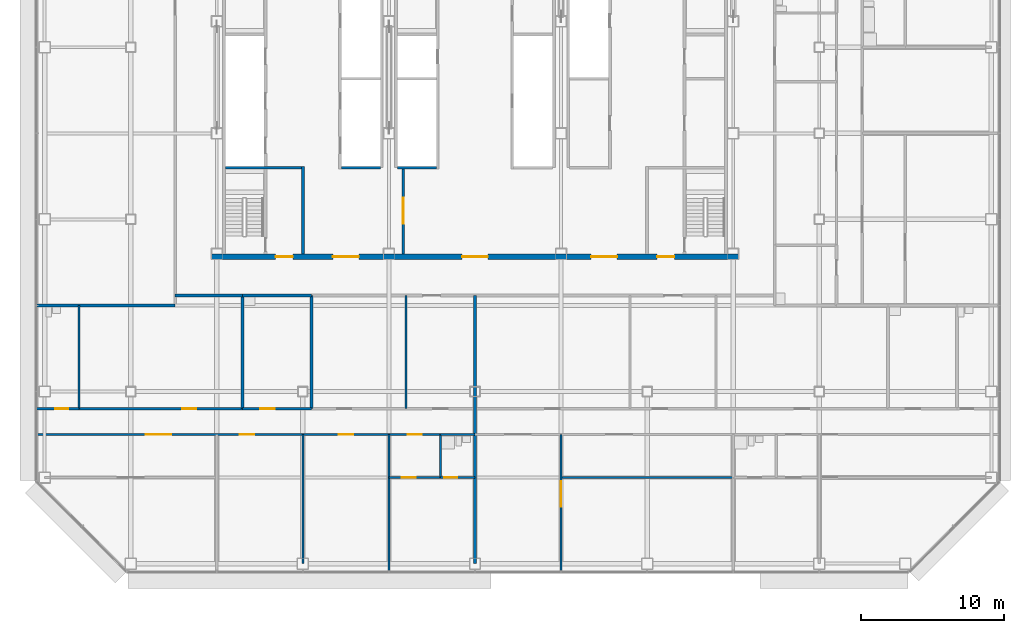
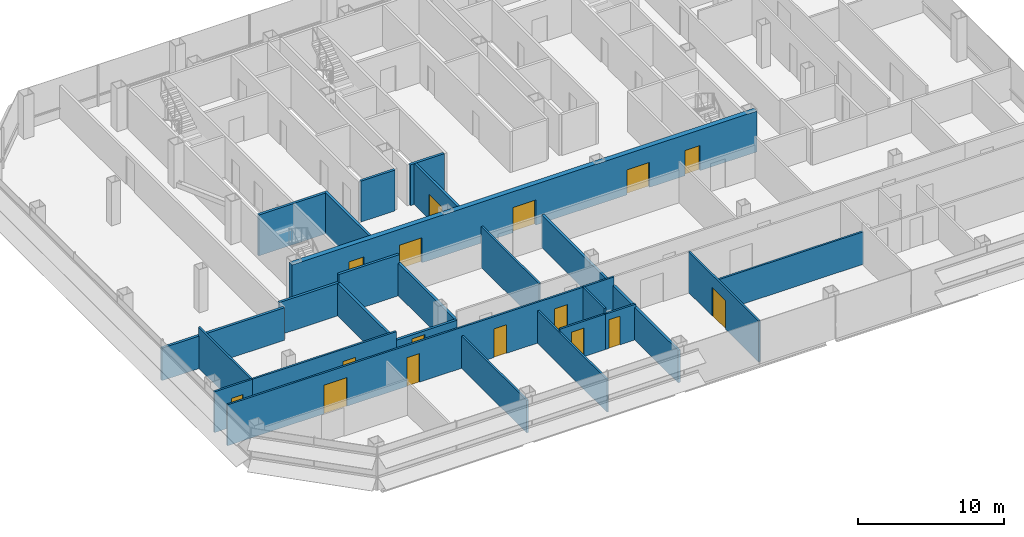
# One storey, part 19 of 25: 26 walls, 16 doors, 16 openings.
"""IFC4 building model written with IfcOpenShell, lengths in metres."""

from ifc_helpers import new_model, si_unit, direction, frame, frame_2d, origin, place, context, subcontext, project, spatial, rectangle, extrude, material, layer, layer_set, type_object, element, fill, save


model = new_model("IFC4")

# Units and contexts
model_context = context("Model", 3, precision=1e-05, world=origin(), true_north=direction((0.0, 1.0)))
body_context = subcontext(model_context, "Body", "Model", "MODEL_VIEW")
ifc_project = project(units=[si_unit("LENGTHUNIT", "METRE"), si_unit("AREAUNIT", "SQUARE_METRE"), si_unit("VOLUMEUNIT", "CUBIC_METRE"), si_unit("PLANEANGLEUNIT", "RADIAN"), si_unit("MASSUNIT", "GRAM", prefix="KILO")], contexts=[model_context])

# Site, building, storey
site_placement = place(None, origin())
site = spatial("IfcSite", under=ifc_project, at=site_placement, CompositionType="ELEMENT")
building_placement = place(site_placement, origin())
building = spatial("IfcBuilding", under=site, at=building_placement, Name="Sorahane Residences", CompositionType="ELEMENT")
storey_placement = place(building_placement, frame((0.0, 0.0, 99.800048828125)))
storey = spatial("IfcBuildingStorey", under=building, at=storey_placement, Name="L21", CompositionType="ELEMENT", Elevation=99.800048828125)

# Walls
ifc_material_1 = material(Name="Concrete blockwork C20 wall", Category="masonry")
ifc_layer_1 = layer(ifc_material_1, 0.199951171875)
ifc_layer_set_1 = layer_set([ifc_layer_1], Name="Corridor wall 200 EI 120")
wall_type_1 = type_object("IfcWallType", Name="Corridor wall 200 EI 120", PredefinedType="SOLIDWALL", material=ifc_layer_set_1)
wall_1_placement = place(storey_placement, frame((-6.60009765625, 18.0, 0.0), z_axis=(0.0, 0.0, 1.0), x_axis=(1.0, 0.0, 0.0)))
element("IfcWall", 1, at=wall_1_placement, inside=storey, type_object=wall_type_1, Name="L21 corridor wall", PredefinedType="SOLIDWALL", context=body_context, shape_type="SweptSolid", body=[
    extrude(rectangle(XDim=9.7001953125, YDim=0.199951171875, at=frame_2d((4.85009765625, 0.0))), origin(), (0.0, 0.0, 1.0), 2.719970703125),
])
wall_2_placement = place(storey_placement, frame((3.10009765625, 18.699951171875, 0.0), z_axis=(0.0, 0.0, 1.0), x_axis=(1.0, 0.0, 0.0)))
element("IfcWall", 2, at=wall_2_placement, inside=storey, type_object=wall_type_1, Name="L21 corridor wall", PredefinedType="SOLIDWALL", context=body_context, shape_type="SweptSolid", body=[
    extrude(rectangle(XDim=4.699951171875, YDim=0.199951171875, at=frame_2d((2.35009765625, 0.0))), origin(), (0.0, 0.0, 1.0), 2.719970703125),
])
ifc_material_2 = material(Name="Concrete C30", Category="concrete")
ifc_layer_2 = layer(ifc_material_2, 0.199951171875)
ifc_layer_set_2 = layer_set([ifc_layer_2], Name="Front room wall 200 EI 120")
wall_type_2 = type_object("IfcWallType", Name="Front room wall 200 EI 120", PredefinedType="PARTITIONING", material=ifc_layer_set_2)
wall_3_placement = place(storey_placement, frame((12.0, 21.60009765625, 0.0), z_axis=(0.0, 0.0, 1.0), x_axis=(0.0, 1.0, 0.0)))
element("IfcWall", 3, at=wall_3_placement, inside=storey, type_object=wall_type_2, Name="L21 front room wall", PredefinedType="PARTITIONING", context=body_context, shape_type="SweptSolid", body=[
    extrude(rectangle(XDim=6.099853515625, YDim=0.199951171875, at=frame_2d((3.0498046875, 0.0))), origin(), (0.0, 0.0, 1.0), 3.419921875),
])
ifc_material_3 = material(Name="Concrete blockwork C20 wall", Category="masonry")
ifc_layer_3 = layer(ifc_material_3, 0.199951171875)
ifc_layer_set_3 = layer_set([ifc_layer_3], Name="Kitchen wall 200 EI 180")
wall_type_3 = type_object("IfcWallType", Name="Kitchen wall 200 EI 180", PredefinedType="SOLIDWALL", material=ifc_layer_set_3)
for number, where, z_axis, x_axis, name in (
    (4, (12.60009765625, 10.800048828125, 0.0), (0.0, 0.0, 1.0), (0.0, 1.0, 0.0), "L21 kitchen wall"),
    (5, (7.800048828125, 10.800048828125, 0.0), (0.0, 0.0, 1.0), (0.0, 1.0, 0.0), "L21 kitchen wall"),
):
    element("IfcWall", number, at=place(storey_placement, frame(where, z_axis=z_axis, x_axis=x_axis)), inside=storey, type_object=wall_type_3, Name=name, PredefinedType="SOLIDWALL", context=body_context, shape_type="SweptSolid", body=[
        extrude(rectangle(XDim=7.89990234375, YDim=0.199951171875, at=frame_2d((3.949951171875, 0.0))), origin(), (0.0, 0.0, 1.0), 2.719970703125),
    ])

# Wall, opening, door
wall_4_placement = place(storey_placement, frame((7.800048828125, 10.800048828125, 0.0), z_axis=(0.0, 0.0, 1.0), x_axis=(1.0, 0.0, 0.0)))
wall_4 = element("IfcWall", 6, at=wall_4_placement, inside=storey, type_object=wall_type_3, Name="L21 kitchen wall", PredefinedType="SOLIDWALL", context=body_context, shape_type="SweptSolid", body=[
    extrude(rectangle(XDim=4.800048828125, YDim=0.199951171875, at=frame_2d((2.39990234375, 0.0))), origin(), (0.0, 0.0, 1.0), 2.719970703125),
])
opening_1_placement = place(wall_4_placement, frame((1.239990234375, 0.0, 0.0)))
opening_1 = element("IfcOpeningElement", 7, at=opening_1_placement, cuts=wall_4, Name="Opening L21-04", PredefinedType="OPENING", context=body_context, shape_type="SweptSolid", body=[
    extrude(rectangle(XDim=1.0, YDim=2.39990234375, at=frame_2d((0.5, 1.199951171875))), frame((0.0, 0.10986328125, 0.0), z_axis=(0.0, -1.0, 0.0), x_axis=(1.0, 0.0, 0.0)), (0.0, 0.0, 1.0), 0.219970703125),
])
ifc_material_4 = material(Name="Steel", Category="steel")
door_type_1 = type_object("IfcDoorType", Name="Kitchen door 1000x2400 FD120", OperationType="NOTDEFINED", PredefinedType="DOOR", material=ifc_material_4)
door_1_placement = place(opening_1_placement, origin())
door_1 = element("IfcDoor", 8, at=door_1_placement, inside=storey, type_object=door_type_1, Name="Kitchen door L21-04", OperationType="SINGLE_SWING_RIGHT", OverallHeight=2.39990234375, OverallWidth=1.0, PredefinedType="DOOR", context=body_context, shape_type="SweptSolid", body=[
    extrude(rectangle(XDim=1.0, YDim=2.39990234375, at=frame_2d((0.5, 1.199951171875))), frame((0.0, 0.02490234375, 0.0), z_axis=(0.0, -1.0, 0.0), x_axis=(1.0, 0.0, 0.0)), (0.0, 0.0, 1.0), 0.050048828125),
])
fill(opening_1, door_1)

# Walls
wall_5_placement = place(storey_placement, frame((7.800048828125, 18.699951171875, 0.0), z_axis=(0.0, 0.0, 1.0), x_axis=(1.0, 0.0, 0.0)))
element("IfcWall", 9, at=wall_5_placement, inside=storey, type_object=wall_type_3, Name="L21 kitchen wall", PredefinedType="SOLIDWALL", context=body_context, shape_type="SweptSolid", body=[
    extrude(rectangle(XDim=4.800048828125, YDim=0.199951171875, at=frame_2d((2.39990234375, 0.0))), origin(), (0.0, 0.0, 1.0), 3.419921875),
])
ifc_material_5 = material(Name="Concrete C30", Category="concrete")
ifc_layer_4 = layer(ifc_material_5, 0.199951171875)
ifc_layer_set_4 = layer_set([ifc_layer_4], Name="Lift shaft wall 200 EI 120")
wall_type_4 = type_object("IfcWallType", Name="Lift shaft wall 200 EI 120", PredefinedType="SOLIDWALL", material=ifc_layer_set_4)
for number, where, z_axis, x_axis, name in (
    (10, (14.699951171875, 27.60009765625, 0.0), (0.0, 0.0, 1.0), (1.0, 0.0, 0.0), "L21 lift shaft wall"),
    (11, (18.60009765625, 27.60009765625, 0.0), (0.0, 0.0, 1.0), (1.0, 0.0, 0.0), "L21 lift shaft wall"),
):
    element("IfcWall", number, at=place(storey_placement, frame(where, z_axis=z_axis, x_axis=x_axis)), inside=storey, type_object=wall_type_4, Name=name, PredefinedType="SOLIDWALL", context=body_context, shape_type="SweptSolid", body=[
        extrude(rectangle(XDim=2.699951171875, YDim=0.199951171875, at=frame_2d((1.35009765625, 0.0))), origin(), (0.0, 0.0, 1.0), 3.419921875),
    ])
ifc_material_6 = material(Name="Gypsum board partition on steel studs", Category="steel")
ifc_layer_5 = layer(ifc_material_6, 0.14990234375)
ifc_layer_set_5 = layer_set([ifc_layer_5], Name="Partition 150 EI 90")
wall_type_5 = type_object("IfcWallType", Name="Partition 150 EI 90", PredefinedType="PARTITIONING", material=ifc_layer_set_5)
wall_6_placement = place(storey_placement, frame((12.0, 0.0, 0.0), z_axis=(0.0, 0.0, 1.0), x_axis=(0.0, 1.0, 0.0)))
element("IfcWall", 12, at=wall_6_placement, inside=storey, type_object=wall_type_5, Name="L21 partition", PredefinedType="PARTITIONING", context=body_context, shape_type="SweptSolid", body=[
    extrude(rectangle(XDim=9.0, YDim=0.14990234375, at=frame_2d((4.5, 0.0))), origin(), (0.0, 0.0, 1.0), 2.719970703125),
])
wall_7_placement = place(storey_placement, frame((18.0, -0.60009765625, 0.0), z_axis=(0.0, 0.0, 1.0), x_axis=(0.0, 1.0, 0.0)))
element("IfcWall", 13, at=wall_7_placement, inside=storey, type_object=wall_type_5, Name="L21 partition", PredefinedType="PARTITIONING", context=body_context, shape_type="SweptSolid", body=[
    extrude(rectangle(XDim=9.60009765625, YDim=0.14990234375, at=frame_2d((4.800048828125, 0.0))), origin(), (0.0, 0.0, 1.0), 2.719970703125),
])
wall_8_placement = place(storey_placement, frame((19.199951171875, 10.800048828125, 0.0), z_axis=(0.0, 0.0, 1.0), x_axis=(0.0, 1.0, 0.0)))
element("IfcWall", 14, at=wall_8_placement, inside=storey, type_object=wall_type_5, Name="L21 partition", PredefinedType="PARTITIONING", context=body_context, shape_type="SweptSolid", body=[
    extrude(rectangle(XDim=7.89990234375, YDim=0.14990234375, at=frame_2d((3.949951171875, 0.0))), origin(), (0.0, 0.0, 1.0), 3.419921875),
])

# Wall, opening, door
wall_9_placement = place(storey_placement, frame((30.0, -0.60009765625, 0.0), z_axis=(0.0, 0.0, 1.0), x_axis=(0.0, 1.0, 0.0)))
wall_9 = element("IfcWall", 15, at=wall_9_placement, inside=storey, type_object=wall_type_5, Name="L21 partition", PredefinedType="PARTITIONING", context=body_context, shape_type="SweptSolid", body=[
    extrude(rectangle(XDim=9.60009765625, YDim=0.14990234375, at=frame_2d((4.800048828125, 0.0))), origin(), (0.0, 0.0, 1.0), 3.419921875),
])
opening_2_placement = place(wall_9_placement, frame((4.550048828125, 0.0, 0.0)))
opening_2 = element("IfcOpeningElement", 16, at=opening_2_placement, cuts=wall_9, Name="Opening L21-19", PredefinedType="OPENING", context=body_context, shape_type="SweptSolid", body=[
    extrude(rectangle(XDim=1.800048828125, YDim=2.39990234375, at=frame_2d((0.89990234375, 1.199951171875))), frame((0.0, 0.0849609375, 0.0), z_axis=(0.0, -1.0, 0.0), x_axis=(1.0, 0.0, 0.0)), (0.0, 0.0, 1.0), 0.169921875),
])
ifc_material_7 = material(Name="Timber veneered fire door", Category="wood")
door_type_2 = type_object("IfcDoorType", Name="Double door 1800x2400 FD30", OperationType="NOTDEFINED", PredefinedType="DOOR", material=ifc_material_7)
door_2_placement = place(opening_2_placement, frame((1.800048828125, 0.0, 0.0), z_axis=(0.0, 0.0, 1.0), x_axis=(-1.0, 0.0, 0.0)))
door_2 = element("IfcDoor", 17, at=door_2_placement, inside=storey, type_object=door_type_2, Name="Double door L21-19", OperationType="SINGLE_SWING_RIGHT", OverallHeight=2.39990234375, OverallWidth=1.800048828125, PredefinedType="DOOR", context=body_context, shape_type="SweptSolid", body=[
    extrude(rectangle(XDim=1.800048828125, YDim=2.39990234375, at=frame_2d((0.89990234375, 1.199951171875))), frame((0.0, 0.02490234375, 0.0), z_axis=(0.0, -1.0, 0.0), x_axis=(1.0, 0.0, 0.0)), (0.0, 0.0, 1.0), 0.050048828125),
])
fill(opening_2, door_2)

wall_10_placement = place(storey_placement, frame((-3.60009765625, 10.800048828125, 0.0), z_axis=(0.0, 0.0, 1.0), x_axis=(1.0, 0.0, 0.0)))
wall_10 = element("IfcWall", 18, at=wall_10_placement, inside=storey, type_object=wall_type_5, Name="L21 partition", PredefinedType="PARTITIONING", context=body_context, shape_type="SweptSolid", body=[
    extrude(rectangle(XDim=11.400146484375, YDim=0.14990234375, at=frame_2d((5.7001953125, 0.0))), origin(), (0.0, 0.0, 1.0), 3.419921875),
])
opening_3_placement = place(wall_10_placement, frame((7.179931640625, 0.0, 0.0)))
opening_3 = element("IfcOpeningElement", 19, at=opening_3_placement, cuts=wall_10, Name="Opening L21-03", PredefinedType="OPENING", context=body_context, shape_type="SweptSolid", body=[
    extrude(rectangle(XDim=1.0, YDim=2.39990234375, at=frame_2d((0.5, 1.199951171875))), frame((0.0, 0.0849609375, 0.0), z_axis=(0.0, -1.0, 0.0), x_axis=(1.0, 0.0, 0.0)), (0.0, 0.0, 1.0), 0.169921875),
])
ifc_material_8 = material(Name="Timber veneered fire door", Category="wood")
door_type_3 = type_object("IfcDoorType", Name="Room door 1000x2400 FD30", OperationType="NOTDEFINED", PredefinedType="DOOR", material=ifc_material_8)
door_3_placement = place(opening_3_placement, origin())
door_3 = element("IfcDoor", 20, at=door_3_placement, inside=storey, type_object=door_type_3, Name="Room door L21-03", OperationType="SINGLE_SWING_RIGHT", OverallHeight=2.39990234375, OverallWidth=1.0, PredefinedType="DOOR", context=body_context, shape_type="SweptSolid", body=[
    extrude(rectangle(XDim=1.0, YDim=2.39990234375, at=frame_2d((0.5, 1.199951171875))), frame((0.0, 0.02490234375, 0.0), z_axis=(0.0, -1.0, 0.0), x_axis=(1.0, 0.0, 0.0)), (0.0, 0.0, 1.0), 0.050048828125),
])
fill(opening_3, door_3)

wall_11_placement = place(storey_placement, frame((18.0, 6.0, 0.0), z_axis=(0.0, 0.0, 1.0), x_axis=(1.0, 0.0, 0.0)))
wall_11 = element("IfcWall", 21, at=wall_11_placement, inside=storey, type_object=wall_type_5, Name="L21 partition", PredefinedType="PARTITIONING", context=body_context, shape_type="SweptSolid", body=[
    extrude(rectangle(XDim=3.60009765625, YDim=0.14990234375, at=frame_2d((1.800048828125, 0.0))), origin(), (0.0, 0.0, 1.0), 2.969970703125),
])
opening_4_placement = place(wall_11_placement, frame((0.8798828125, 0.0, 0.0)))
opening_4 = element("IfcOpeningElement", 22, at=opening_4_placement, cuts=wall_11, Name="Opening L21-11", PredefinedType="OPENING", context=body_context, shape_type="SweptSolid", body=[
    extrude(rectangle(XDim=1.0, YDim=2.39990234375, at=frame_2d((0.5, 1.199951171875))), frame((0.0, 0.0849609375, 0.0), z_axis=(0.0, -1.0, 0.0), x_axis=(1.0, 0.0, 0.0)), (0.0, 0.0, 1.0), 0.169921875),
])
door_4_placement = place(opening_4_placement, frame((1.0, 0.0, 0.0), z_axis=(0.0, 0.0, 1.0), x_axis=(-1.0, 0.0, 0.0)))
door_4 = element("IfcDoor", 23, at=door_4_placement, inside=storey, type_object=door_type_3, Name="Room door L21-11", OperationType="SINGLE_SWING_RIGHT", OverallHeight=2.39990234375, OverallWidth=1.0, PredefinedType="DOOR", context=body_context, shape_type="SweptSolid", body=[
    extrude(rectangle(XDim=1.0, YDim=2.39990234375, at=frame_2d((0.5, 1.199951171875))), frame((0.0, 0.02490234375, 0.0), z_axis=(0.0, -1.0, 0.0), x_axis=(1.0, 0.0, 0.0)), (0.0, 0.0, 1.0), 0.050048828125),
])
fill(opening_4, door_4)

# Wall
wall_12_placement = place(storey_placement, frame((30.0, 6.0, 0.0), z_axis=(0.0, 0.0, 1.0), x_axis=(1.0, 0.0, 0.0)))
element("IfcWall", 24, at=wall_12_placement, inside=storey, type_object=wall_type_5, Name="L21 partition", PredefinedType="PARTITIONING", context=body_context, shape_type="SweptSolid", body=[
    extrude(rectangle(XDim=12.0, YDim=0.14990234375, at=frame_2d((6.0, 0.0))), origin(), (0.0, 0.0, 1.0), 2.719970703125),
])

# Wall, openings, doors
wall_13_placement = place(storey_placement, frame((-6.60009765625, 9.0, 0.0), z_axis=(0.0, 0.0, 1.0), x_axis=(1.0, 0.0, 0.0)))
wall_13 = element("IfcWall", 25, at=wall_13_placement, inside=storey, type_object=wall_type_5, Name="L21 partition", PredefinedType="PARTITIONING", context=body_context, shape_type="SweptSolid", body=[
    extrude(rectangle(XDim=28.2001953125, YDim=0.14990234375, at=frame_2d((14.10009765625, 0.0))), origin(), (0.0, 0.0, 1.0), 3.419921875),
])
opening_5_placement = place(wall_13_placement, frame((7.639892578125, 0.0, 0.0)))
opening_5 = element("IfcOpeningElement", 26, at=opening_5_placement, cuts=wall_13, Name="Opening L21-06", PredefinedType="OPENING", context=body_context, shape_type="SweptSolid", body=[
    extrude(rectangle(XDim=1.800048828125, YDim=2.39990234375, at=frame_2d((0.89990234375, 1.199951171875))), frame((0.0, 0.0849609375, 0.0), z_axis=(0.0, -1.0, 0.0), x_axis=(1.0, 0.0, 0.0)), (0.0, 0.0, 1.0), 0.169921875),
])
opening_6_placement = place(wall_13_placement, frame((14.199951171875, 0.0, 0.0)))
opening_6 = element("IfcOpeningElement", 27, at=opening_6_placement, cuts=wall_13, Name="Opening L21-07", PredefinedType="OPENING", context=body_context, shape_type="SweptSolid", body=[
    extrude(rectangle(XDim=1.0, YDim=2.39990234375, at=frame_2d((0.5, 1.199951171875))), frame((0.0, 0.0849609375, 0.0), z_axis=(0.0, -1.0, 0.0), x_axis=(1.0, 0.0, 0.0)), (0.0, 0.0, 1.0), 0.169921875),
])
opening_7_placement = place(wall_13_placement, frame((21.10009765625, 0.0, 0.0)))
opening_7 = element("IfcOpeningElement", 28, at=opening_7_placement, cuts=wall_13, Name="Opening L21-08", PredefinedType="OPENING", context=body_context, shape_type="SweptSolid", body=[
    extrude(rectangle(XDim=1.0, YDim=2.39990234375, at=frame_2d((0.5, 1.199951171875))), frame((0.0, 0.0849609375, 0.0), z_axis=(0.0, -1.0, 0.0), x_axis=(1.0, 0.0, 0.0)), (0.0, 0.0, 1.0), 0.169921875),
])
opening_8_placement = place(wall_13_placement, frame((25.89990234375, 0.0, 0.0)))
opening_8 = element("IfcOpeningElement", 29, at=opening_8_placement, cuts=wall_13, Name="Opening L21-09", PredefinedType="OPENING", context=body_context, shape_type="SweptSolid", body=[
    extrude(rectangle(XDim=1.0, YDim=2.39990234375, at=frame_2d((0.5, 1.199951171875))), frame((0.0, 0.0849609375, 0.0), z_axis=(0.0, -1.0, 0.0), x_axis=(1.0, 0.0, 0.0)), (0.0, 0.0, 1.0), 0.169921875),
])
door_5_placement = place(opening_5_placement, frame((1.800048828125, 0.0, 0.0), z_axis=(0.0, 0.0, 1.0), x_axis=(-1.0, 0.0, 0.0)))
door_5 = element("IfcDoor", 30, at=door_5_placement, inside=storey, type_object=door_type_2, Name="Double door L21-06", OperationType="SINGLE_SWING_LEFT", OverallHeight=2.39990234375, OverallWidth=1.800048828125, PredefinedType="DOOR", context=body_context, shape_type="SweptSolid", body=[
    extrude(rectangle(XDim=1.800048828125, YDim=2.39990234375, at=frame_2d((0.89990234375, 1.199951171875))), frame((0.0, 0.02490234375, 0.0), z_axis=(0.0, -1.0, 0.0), x_axis=(1.0, 0.0, 0.0)), (0.0, 0.0, 1.0), 0.050048828125),
])
fill(opening_5, door_5)
door_6_placement = place(opening_6_placement, frame((1.0, 0.0, 0.0), z_axis=(0.0, 0.0, 1.0), x_axis=(-1.0, 0.0, 0.0)))
door_6 = element("IfcDoor", 31, at=door_6_placement, inside=storey, type_object=door_type_3, Name="Room door L21-07", OperationType="SINGLE_SWING_RIGHT", OverallHeight=2.39990234375, OverallWidth=1.0, PredefinedType="DOOR", context=body_context, shape_type="SweptSolid", body=[
    extrude(rectangle(XDim=1.0, YDim=2.39990234375, at=frame_2d((0.5, 1.199951171875))), frame((0.0, 0.02490234375, 0.0), z_axis=(0.0, -1.0, 0.0), x_axis=(1.0, 0.0, 0.0)), (0.0, 0.0, 1.0), 0.050048828125),
])
fill(opening_6, door_6)
door_7_placement = place(opening_7_placement, frame((1.0, 0.0, 0.0), z_axis=(0.0, 0.0, 1.0), x_axis=(-1.0, 0.0, 0.0)))
door_7 = element("IfcDoor", 32, at=door_7_placement, inside=storey, type_object=door_type_3, Name="Room door L21-08", OperationType="SINGLE_SWING_LEFT", OverallHeight=2.39990234375, OverallWidth=1.0, PredefinedType="DOOR", context=body_context, shape_type="SweptSolid", body=[
    extrude(rectangle(XDim=1.0, YDim=2.39990234375, at=frame_2d((0.5, 1.199951171875))), frame((0.0, 0.02490234375, 0.0), z_axis=(0.0, -1.0, 0.0), x_axis=(1.0, 0.0, 0.0)), (0.0, 0.0, 1.0), 0.050048828125),
])
fill(opening_7, door_7)
door_8_placement = place(opening_8_placement, frame((1.0, 0.0, 0.0), z_axis=(0.0, 0.0, 1.0), x_axis=(-1.0, 0.0, 0.0)))
door_8 = element("IfcDoor", 33, at=door_8_placement, inside=storey, type_object=door_type_3, Name="Room door L21-09", OperationType="SINGLE_SWING_RIGHT", OverallHeight=2.39990234375, OverallWidth=1.0, PredefinedType="DOOR", context=body_context, shape_type="SweptSolid", body=[
    extrude(rectangle(XDim=1.0, YDim=2.39990234375, at=frame_2d((0.5, 1.199951171875))), frame((0.0, 0.02490234375, 0.0), z_axis=(0.0, -1.0, 0.0), x_axis=(1.0, 0.0, 0.0)), (0.0, 0.0, 1.0), 0.050048828125),
])
fill(opening_8, door_8)

# Wall
ifc_material_9 = material(Name="Concrete blockwork C20 wall", Category="masonry")
ifc_layer_6 = layer(ifc_material_9, 0.199951171875)
ifc_layer_set_6 = layer_set([ifc_layer_6], Name="Party wall 200 EI 120")
wall_type_6 = type_object("IfcWallType", Name="Party wall 200 EI 120", PredefinedType="SOLIDWALL", material=ifc_layer_set_6)
wall_14_placement = place(storey_placement, frame((24.0, 0.0, 0.0), z_axis=(0.0, 0.0, 1.0), x_axis=(0.0, 1.0, 0.0)))
element("IfcWall", 34, at=wall_14_placement, inside=storey, type_object=wall_type_6, Name="L21 party wall", PredefinedType="SOLIDWALL", context=body_context, shape_type="SweptSolid", body=[
    extrude(rectangle(XDim=18.699951171875, YDim=0.199951171875, at=frame_2d((9.35009765625, 0.0))), origin(), (0.0, 0.0, 1.0), 2.719970703125),
])

# Wall, opening, door
ifc_material_10 = material(Name="Concrete C30", Category="concrete")
ifc_layer_7 = layer(ifc_material_10, 0.199951171875)
ifc_layer_set_7 = layer_set([ifc_layer_7], Name="Service room partition 200 EI 60")
wall_type_7 = type_object("IfcWallType", Name="Service room partition 200 EI 60", PredefinedType="PARTITIONING", material=ifc_layer_set_7)
wall_15_placement = place(storey_placement, frame((19.0, 21.60009765625, 0.0), z_axis=(0.0, 0.0, 1.0), x_axis=(0.0, 1.0, 0.0)))
wall_15 = element("IfcWall", 35, at=wall_15_placement, inside=storey, type_object=wall_type_7, Name="L21 service room wall", PredefinedType="PARTITIONING", context=body_context, shape_type="SweptSolid", body=[
    extrude(rectangle(XDim=6.0, YDim=0.199951171875, at=frame_2d((3.0, 0.0))), origin(), (0.0, 0.0, 1.0), 3.419921875),
])
opening_9_placement = place(wall_15_placement, frame((2.10009765625, 0.0, 0.0)))
opening_9 = element("IfcOpeningElement", 36, at=opening_9_placement, cuts=wall_15, Name="Opening L21-C02", PredefinedType="OPENING", context=body_context, shape_type="SweptSolid", body=[
    extrude(rectangle(XDim=1.800048828125, YDim=2.10009765625, at=frame_2d((0.89990234375, 1.050048828125))), frame((0.0, 0.10986328125, 0.0), z_axis=(0.0, -1.0, 0.0), x_axis=(1.0, 0.0, 0.0)), (0.0, 0.0, 1.0), 0.219970703125),
])
ifc_material_11 = material(Name="Steel", Category="steel")
door_type_4 = type_object("IfcDoorType", Name="Waiting hall door 1800x2100 FD60", OperationType="NOTDEFINED", PredefinedType="DOOR", material=ifc_material_11)
door_9_placement = place(opening_9_placement, origin())
door_9 = element("IfcDoor", 37, at=door_9_placement, inside=storey, type_object=door_type_4, Name="Waiting hall door Residents' waiting hall west L21", OperationType="SINGLE_SWING_LEFT", OverallHeight=2.10009765625, OverallWidth=1.800048828125, PredefinedType="DOOR", context=body_context, shape_type="SweptSolid", body=[
    extrude(rectangle(XDim=1.800048828125, YDim=2.10009765625, at=frame_2d((0.89990234375, 1.050048828125))), frame((0.0, 0.02490234375, 0.0), z_axis=(0.0, -1.0, 0.0), x_axis=(1.0, 0.0, 0.0)), (0.0, 0.0, 1.0), 0.050048828125),
])
fill(opening_9, door_9)

# Wall
ifc_material_12 = material(Name="Concrete C30", Category="concrete")
ifc_layer_8 = layer(ifc_material_12, 0.199951171875)
ifc_layer_set_8 = layer_set([ifc_layer_8], Name="Stair enclosure wall 200 EI 120")
wall_type_8 = type_object("IfcWallType", Name="Stair enclosure wall 200 EI 120", PredefinedType="SOLIDWALL", material=ifc_layer_set_8)
wall_16_placement = place(storey_placement, frame((6.60009765625, 27.60009765625, 0.0), z_axis=(0.0, 0.0, 1.0), x_axis=(1.0, 0.0, 0.0)))
element("IfcWall", 38, at=wall_16_placement, inside=storey, type_object=wall_type_8, Name="L21 stair enclosure wall", PredefinedType="SOLIDWALL", context=body_context, shape_type="SweptSolid", body=[
    extrude(rectangle(XDim=5.2998046875, YDim=0.199951171875, at=frame_2d((2.64990234375, 0.0))), origin(), (0.0, 0.0, 1.0), 3.419921875),
])

# Wall, openings, doors
ifc_material_13 = material(Name="Concrete C30", Category="concrete")
ifc_layer_9 = layer(ifc_material_13, 0.39990234375)
ifc_layer_set_9 = layer_set([ifc_layer_9], Name="Waiting hall wall 400 EI 120")
wall_type_9 = type_object("IfcWallType", Name="Waiting hall wall 400 EI 120", PredefinedType="SOLIDWALL", material=ifc_layer_set_9)
wall_17_placement = place(storey_placement, frame((5.60009765625, 21.39990234375, 0.0), z_axis=(0.0, 0.0, 1.0), x_axis=(1.0, 0.0, 0.0)))
wall_17 = element("IfcWall", 39, at=wall_17_placement, inside=storey, type_object=wall_type_9, Name="L21 waiting hall wall", PredefinedType="SOLIDWALL", context=body_context, shape_type="SweptSolid", body=[
    extrude(rectangle(XDim=36.7998046875, YDim=0.39990234375, at=frame_2d((18.39990234375, 0.0))), origin(), (0.0, 0.0, 1.0), 3.419921875),
])
opening_10_placement = place(wall_17_placement, frame((8.5, 0.0, 0.0)))
opening_10 = element("IfcOpeningElement", 40, at=opening_10_placement, cuts=wall_17, Name="Opening L21-C01", PredefinedType="OPENING", context=body_context, shape_type="SweptSolid", body=[
    extrude(rectangle(XDim=1.800048828125, YDim=2.10009765625, at=frame_2d((0.89990234375, 1.050048828125))), frame((0.0, 0.2099609375, 0.0), z_axis=(0.0, -1.0, 0.0), x_axis=(1.0, 0.0, 0.0)), (0.0, 0.0, 1.0), 0.419921875),
])
opening_11_placement = place(wall_17_placement, frame((17.5, 0.0, 0.0)))
opening_11 = element("IfcOpeningElement", 41, at=opening_11_placement, cuts=wall_17, Name="Opening L21-C03", PredefinedType="OPENING", context=body_context, shape_type="SweptSolid", body=[
    extrude(rectangle(XDim=1.800048828125, YDim=2.10009765625, at=frame_2d((0.89990234375, 1.050048828125))), frame((0.0, 0.2099609375, 0.0), z_axis=(0.0, -1.0, 0.0), x_axis=(1.0, 0.0, 0.0)), (0.0, 0.0, 1.0), 0.419921875),
])
opening_12_placement = place(wall_17_placement, frame((26.5, 0.0, 0.0)))
opening_12 = element("IfcOpeningElement", 42, at=opening_12_placement, cuts=wall_17, Name="Opening L21-C04", PredefinedType="OPENING", context=body_context, shape_type="SweptSolid", body=[
    extrude(rectangle(XDim=1.800048828125, YDim=2.10009765625, at=frame_2d((0.89990234375, 1.050048828125))), frame((0.0, 0.2099609375, 0.0), z_axis=(0.0, -1.0, 0.0), x_axis=(1.0, 0.0, 0.0)), (0.0, 0.0, 1.0), 0.419921875),
])
opening_13_placement = place(wall_17_placement, frame((4.5, 0.0, 0.0)))
opening_13 = element("IfcOpeningElement", 43, at=opening_13_placement, cuts=wall_17, Name="Opening L21-C05", PredefinedType="OPENING", context=body_context, shape_type="SweptSolid", body=[
    extrude(rectangle(XDim=1.199951171875, YDim=2.10009765625, at=frame_2d((0.60009765625, 1.050048828125))), frame((0.0, 0.2099609375, 0.0), z_axis=(0.0, -1.0, 0.0), x_axis=(1.0, 0.0, 0.0)), (0.0, 0.0, 1.0), 0.419921875),
])
opening_14_placement = place(wall_17_placement, frame((31.10009765625, 0.0, 0.0)))
opening_14 = element("IfcOpeningElement", 44, at=opening_14_placement, cuts=wall_17, Name="Opening L21-C06", PredefinedType="OPENING", context=body_context, shape_type="SweptSolid", body=[
    extrude(rectangle(XDim=1.199951171875, YDim=2.10009765625, at=frame_2d((0.60009765625, 1.050048828125))), frame((0.0, 0.2099609375, 0.0), z_axis=(0.0, -1.0, 0.0), x_axis=(1.0, 0.0, 0.0)), (0.0, 0.0, 1.0), 0.419921875),
])
ifc_material_14 = material(Name="Steel", Category="steel")
door_type_5 = type_object("IfcDoorType", Name="Stair front room door 1200x2100 FD120", OperationType="NOTDEFINED", PredefinedType="DOOR", material=ifc_material_14)
door_10_placement = place(opening_13_placement, frame((1.199951171875, 0.0, 0.0), z_axis=(0.0, 0.0, 1.0), x_axis=(-1.0, 0.0, 0.0)))
door_10 = element("IfcDoor", 45, at=door_10_placement, inside=storey, type_object=door_type_5, Name="Stair front room door Stair S4 front room L21", OperationType="SINGLE_SWING_LEFT", OverallHeight=2.10009765625, OverallWidth=1.199951171875, PredefinedType="DOOR", context=body_context, shape_type="SweptSolid", body=[
    extrude(rectangle(XDim=1.199951171875, YDim=2.10009765625, at=frame_2d((0.60009765625, 1.050048828125))), frame((0.0, 0.02490234375, 0.0), z_axis=(0.0, -1.0, 0.0), x_axis=(1.0, 0.0, 0.0)), (0.0, 0.0, 1.0), 0.050048828125),
])
fill(opening_13, door_10)
door_11_placement = place(opening_14_placement, frame((1.199951171875, 0.0, 0.0), z_axis=(0.0, 0.0, 1.0), x_axis=(-1.0, 0.0, 0.0)))
door_11 = element("IfcDoor", 46, at=door_11_placement, inside=storey, type_object=door_type_5, Name="Stair front room door Stair S5 front room L21", OperationType="SINGLE_SWING_LEFT", OverallHeight=2.10009765625, OverallWidth=1.199951171875, PredefinedType="DOOR", context=body_context, shape_type="SweptSolid", body=[
    extrude(rectangle(XDim=1.199951171875, YDim=2.10009765625, at=frame_2d((0.60009765625, 1.050048828125))), frame((0.0, 0.02490234375, 0.0), z_axis=(0.0, -1.0, 0.0), x_axis=(1.0, 0.0, 0.0)), (0.0, 0.0, 1.0), 0.050048828125),
])
fill(opening_14, door_11)
door_12_placement = place(opening_10_placement, frame((1.800048828125, 0.0, 0.0), z_axis=(0.0, 0.0, 1.0), x_axis=(-1.0, 0.0, 0.0)))
door_12 = element("IfcDoor", 47, at=door_12_placement, inside=storey, type_object=door_type_4, Name="Waiting hall door Residents' waiting hall west L21", OperationType="SINGLE_SWING_LEFT", OverallHeight=2.10009765625, OverallWidth=1.800048828125, PredefinedType="DOOR", context=body_context, shape_type="SweptSolid", body=[
    extrude(rectangle(XDim=1.800048828125, YDim=2.10009765625, at=frame_2d((0.89990234375, 1.050048828125))), frame((0.0, 0.02490234375, 0.0), z_axis=(0.0, -1.0, 0.0), x_axis=(1.0, 0.0, 0.0)), (0.0, 0.0, 1.0), 0.050048828125),
])
fill(opening_10, door_12)
door_13_placement = place(opening_11_placement, frame((1.800048828125, 0.0, 0.0), z_axis=(0.0, 0.0, 1.0), x_axis=(-1.0, 0.0, 0.0)))
door_13 = element("IfcDoor", 48, at=door_13_placement, inside=storey, type_object=door_type_4, Name="Waiting hall door Residents' waiting hall east L21", OperationType="SINGLE_SWING_LEFT", OverallHeight=2.10009765625, OverallWidth=1.800048828125, PredefinedType="DOOR", context=body_context, shape_type="SweptSolid", body=[
    extrude(rectangle(XDim=1.800048828125, YDim=2.10009765625, at=frame_2d((0.89990234375, 1.050048828125))), frame((0.0, 0.02490234375, 0.0), z_axis=(0.0, -1.0, 0.0), x_axis=(1.0, 0.0, 0.0)), (0.0, 0.0, 1.0), 0.050048828125),
])
fill(opening_11, door_13)
door_14_placement = place(opening_12_placement, frame((1.800048828125, 0.0, 0.0), z_axis=(0.0, 0.0, 1.0), x_axis=(-1.0, 0.0, 0.0)))
door_14 = element("IfcDoor", 49, at=door_14_placement, inside=storey, type_object=door_type_4, Name="Waiting hall door Residents' waiting hall east L21", OperationType="SINGLE_SWING_LEFT", OverallHeight=2.10009765625, OverallWidth=1.800048828125, PredefinedType="DOOR", context=body_context, shape_type="SweptSolid", body=[
    extrude(rectangle(XDim=1.800048828125, YDim=2.10009765625, at=frame_2d((0.89990234375, 1.050048828125))), frame((0.0, 0.02490234375, 0.0), z_axis=(0.0, -1.0, 0.0), x_axis=(1.0, 0.0, 0.0)), (0.0, 0.0, 1.0), 0.050048828125),
])
fill(opening_12, door_14)

# Walls
ifc_material_15 = material(Name="Gypsum board partition on steel studs", Category="steel")
ifc_layer_10 = layer(ifc_material_15, 0.14990234375)
ifc_layer_set_10 = layer_set([ifc_layer_10], Name="Wet wall 150 EI 90")
wall_type_10 = type_object("IfcWallType", Name="Wet wall 150 EI 90", PredefinedType="PARTITIONING", material=ifc_layer_set_10)
wall_18_placement = place(storey_placement, frame((-3.60009765625, 10.800048828125, 0.0), z_axis=(0.0, 0.0, 1.0), x_axis=(0.0, 1.0, 0.0)))
element("IfcWall", 50, at=wall_18_placement, inside=storey, type_object=wall_type_10, Name="L21 wet wall", PredefinedType="PARTITIONING", context=body_context, shape_type="SweptSolid", body=[
    extrude(rectangle(XDim=7.199951171875, YDim=0.14990234375, at=frame_2d((3.60009765625, 0.0))), origin(), (0.0, 0.0, 1.0), 3.419921875),
])
wall_19_placement = place(storey_placement, frame((21.60009765625, 6.0, 0.0), z_axis=(0.0, 0.0, 1.0), x_axis=(0.0, 1.0, 0.0)))
element("IfcWall", 51, at=wall_19_placement, inside=storey, type_object=wall_type_10, Name="L21 wet wall", PredefinedType="PARTITIONING", context=body_context, shape_type="SweptSolid", body=[
    extrude(rectangle(XDim=3.0, YDim=0.14990234375, at=frame_2d((1.5, 0.0))), origin(), (0.0, 0.0, 1.0), 3.419921875),
])

# Wall, opening, door
wall_20_placement = place(storey_placement, frame((-6.60009765625, 10.800048828125, 0.0), z_axis=(0.0, 0.0, 1.0), x_axis=(1.0, 0.0, 0.0)))
wall_20 = element("IfcWall", 52, at=wall_20_placement, inside=storey, type_object=wall_type_10, Name="L21 wet wall", PredefinedType="PARTITIONING", context=body_context, shape_type="SweptSolid", body=[
    extrude(rectangle(XDim=3.0, YDim=0.14990234375, at=frame_2d((1.5, 0.0))), origin(), (0.0, 0.0, 1.0), 3.419921875),
])
opening_15_placement = place(wall_20_placement, frame((1.35009765625, 0.0, 0.0)))
opening_15 = element("IfcOpeningElement", 53, at=opening_15_placement, cuts=wall_20, Name="Opening L21-02", PredefinedType="OPENING", context=body_context, shape_type="SweptSolid", body=[
    extrude(rectangle(XDim=0.89990234375, YDim=2.39990234375, at=frame_2d((0.449951171875, 1.199951171875))), frame((0.0, 0.0849609375, 0.0), z_axis=(0.0, -1.0, 0.0), x_axis=(1.0, 0.0, 0.0)), (0.0, 0.0, 1.0), 0.169921875),
])
ifc_material_16 = material(Name="Timber veneered fire door", Category="wood")
door_type_6 = type_object("IfcDoorType", Name="Bathroom door 900x2400 FD30", OperationType="NOTDEFINED", PredefinedType="DOOR", material=ifc_material_16)
door_15_placement = place(opening_15_placement, frame((0.89990234375, 0.0, 0.0), z_axis=(0.0, 0.0, 1.0), x_axis=(-1.0, 0.0, 0.0)))
door_15 = element("IfcDoor", 54, at=door_15_placement, inside=storey, type_object=door_type_6, Name="Bathroom door L21-02", OperationType="SINGLE_SWING_RIGHT", OverallHeight=2.39990234375, OverallWidth=0.89990234375, PredefinedType="DOOR", context=body_context, shape_type="SweptSolid", body=[
    extrude(rectangle(XDim=0.89990234375, YDim=2.39990234375, at=frame_2d((0.449951171875, 1.199951171875))), frame((0.0, 0.02490234375, 0.0), z_axis=(0.0, -1.0, 0.0), x_axis=(1.0, 0.0, 0.0)), (0.0, 0.0, 1.0), 0.050048828125),
])
fill(opening_15, door_15)

wall_21_placement = place(storey_placement, frame((21.60009765625, 6.0, 0.0), z_axis=(0.0, 0.0, 1.0), x_axis=(1.0, 0.0, 0.0)))
wall_21 = element("IfcWall", 55, at=wall_21_placement, inside=storey, type_object=wall_type_10, Name="L21 wet wall", PredefinedType="PARTITIONING", context=body_context, shape_type="SweptSolid", body=[
    extrude(rectangle(XDim=2.39990234375, YDim=0.14990234375, at=frame_2d((1.199951171875, 0.0))), origin(), (0.0, 0.0, 1.0), 2.969970703125),
])
opening_16_placement = place(wall_21_placement, frame((0.25, 0.0, 0.0)))
opening_16 = element("IfcOpeningElement", 56, at=opening_16_placement, cuts=wall_21, Name="Opening L21-12", PredefinedType="OPENING", context=body_context, shape_type="SweptSolid", body=[
    extrude(rectangle(XDim=0.89990234375, YDim=2.39990234375, at=frame_2d((0.449951171875, 1.199951171875))), frame((0.0, 0.0849609375, 0.0), z_axis=(0.0, -1.0, 0.0), x_axis=(1.0, 0.0, 0.0)), (0.0, 0.0, 1.0), 0.169921875),
])
door_16_placement = place(opening_16_placement, frame((0.89990234375, 0.0, 0.0), z_axis=(0.0, 0.0, 1.0), x_axis=(-1.0, 0.0, 0.0)))
door_16 = element("IfcDoor", 57, at=door_16_placement, inside=storey, type_object=door_type_6, Name="Bathroom door L21-12", OperationType="SINGLE_SWING_RIGHT", OverallHeight=2.39990234375, OverallWidth=0.89990234375, PredefinedType="DOOR", context=body_context, shape_type="SweptSolid", body=[
    extrude(rectangle(XDim=0.89990234375, YDim=2.39990234375, at=frame_2d((0.449951171875, 1.199951171875))), frame((0.0, 0.02490234375, 0.0), z_axis=(0.0, -1.0, 0.0), x_axis=(1.0, 0.0, 0.0)), (0.0, 0.0, 1.0), 0.050048828125),
])
fill(opening_16, door_16)

# Wall
wall_22_placement = place(storey_placement, frame((21.60009765625, 9.0, 0.0), z_axis=(0.0, 0.0, 1.0), x_axis=(1.0, 0.0, 0.0)))
element("IfcWall", 58, at=wall_22_placement, inside=storey, type_object=wall_type_10, Name="L21 wet wall", PredefinedType="PARTITIONING", context=body_context, shape_type="SweptSolid", body=[
    extrude(rectangle(XDim=2.39990234375, YDim=0.14990234375, at=frame_2d((1.199951171875, 0.0))), origin(), (0.0, 0.0, 1.0), 3.419921875),
])

save(model, "model.ifc")
